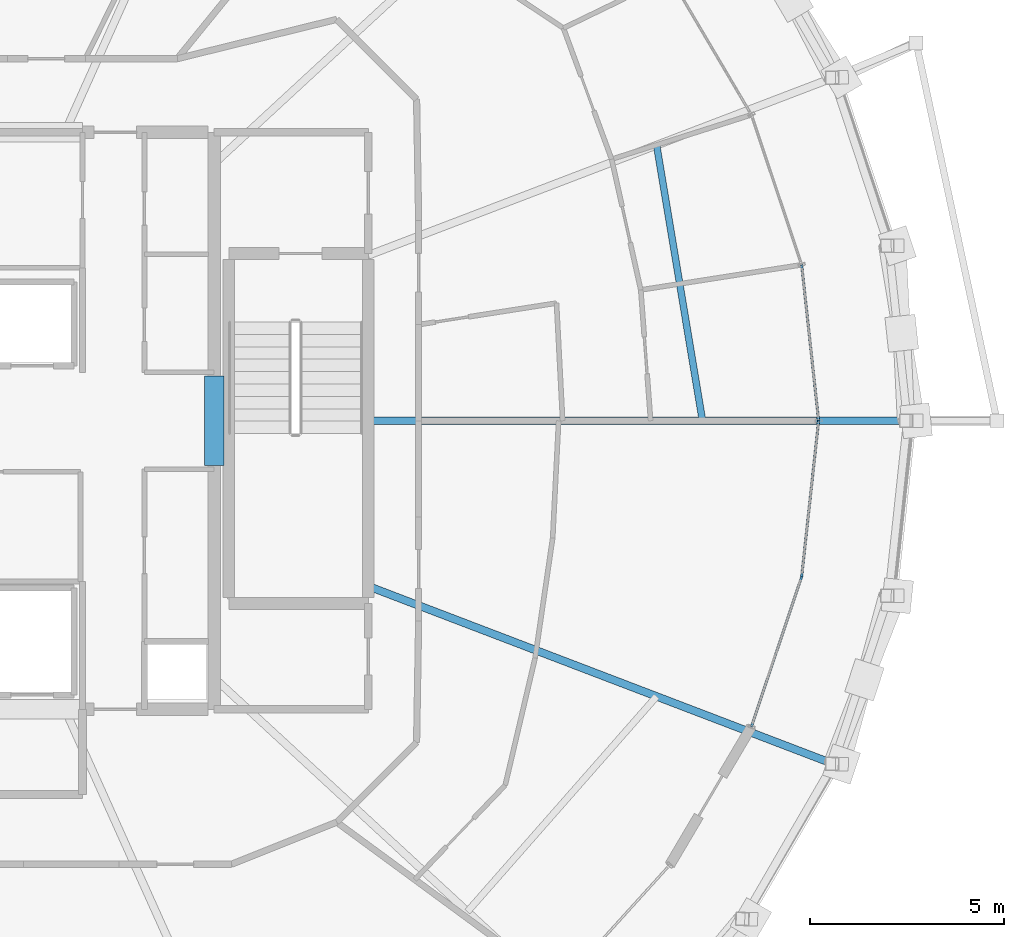
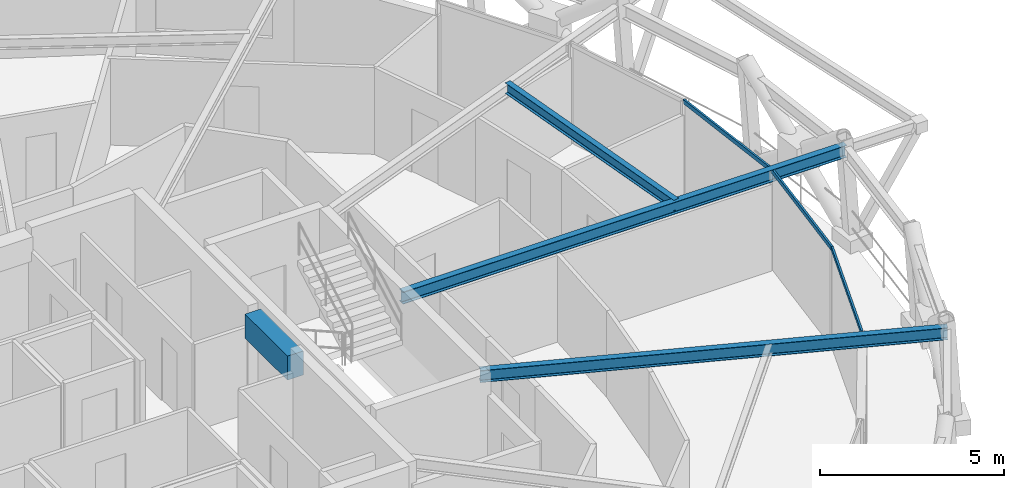
# One storey, part 7 of 18: 4 beams, 3 members, 1 element without a shape of its own.
"""IFC4 building model written with IfcOpenShell, lengths in metres."""

import ifcopenshell
import ifcopenshell.guid

model = None  # the IFC model being written
_history = None  # IfcOwnerHistory: only IFC2X3 demands one
_inside = {}  # id of a spatial element -> (the spatial element, [elements in it])
_under = {}  # id of a project, library or spatial element -> (it, [spatial elements below it])
_declared = {}  # id of a project -> (the project, [libraries it declares])
_typed = {}  # id of a type object -> (the type object, [elements of that type])
_made_of = {}  # id of a material, layer set ... -> (it, [elements and type objects made of it])


def new_model(schema):
    """Start an empty IFC model of exactly this schema.

    Asked for "IFC4X3", IfcOpenShell would pick the latest addendum, in which some entities
    have other attributes; the version numbers below select the first issue.
    IFC2X3 requires an IfcOwnerHistory on every rooted entity: one is made here for all.
    """
    global model, _history
    if schema == "IFC4X3":
        model = ifcopenshell.file(schema_version=(4, 3, 0, 0))
    else:
        model = ifcopenshell.file(schema=schema)
    _inside.clear()
    _under.clear()
    _declared.clear()
    _typed.clear()
    _made_of.clear()
    _history = None
    if model.schema == "IFC2X3":
        org = make("IfcOrganization", Name="unknown")
        user = make(
            "IfcPersonAndOrganization",
            ThePerson=make("IfcPerson", FamilyName="unknown"),
            TheOrganization=org,
        )
        app = make(
            "IfcApplication",
            ApplicationDeveloper=org,
            Version="unknown",
            ApplicationFullName="unknown",
            ApplicationIdentifier="unknown",
        )
        _history = make(
            "IfcOwnerHistory",
            OwningUser=user,
            OwningApplication=app,
            ChangeAction="ADDED",
            CreationDate=0,
        )
    return model


def make(cls, **values):
    """One entity of the class cls with the attributes given. An attribute that is None is left unset."""
    return model.create_entity(
        cls, **{name: value for name, value in values.items() if value is not None}
    )


def rooted(cls, **values):
    """An entity with a GlobalId (a new one), such as an element, a storey or a relation."""
    return make(cls, GlobalId=ifcopenshell.guid.new(), OwnerHistory=_history, **values)


def si_unit(unit_type, name, prefix=None):
    """IfcSIUnit, for example si_unit("LENGTHUNIT", "METRE", prefix="MILLI")."""
    return make("IfcSIUnit", UnitType=unit_type, Prefix=prefix, Name=name)


def assignment(units):
    """IfcUnitAssignment: the units of a project."""
    return None if units is None else make("IfcUnitAssignment", Units=units)


def point(xyz):
    """IfcCartesianPoint."""
    return None if xyz is None else make("IfcCartesianPoint", Coordinates=xyz)


def direction(xyz):
    """IfcDirection."""
    return None if xyz is None else make("IfcDirection", DirectionRatios=xyz)


def frame(location, z_axis=None, x_axis=None):
    """IfcAxis2Placement3D, a coordinate frame: its origin and axes. An axis left out is left unset."""
    return make(
        "IfcAxis2Placement3D",
        Location=point(location),
        Axis=direction(z_axis),
        RefDirection=direction(x_axis),
    )


def frame_2d(location, x_axis=None):
    """IfcAxis2Placement2D, a coordinate frame in the plane: its origin and x axis."""
    return make(
        "IfcAxis2Placement2D", Location=point(location), RefDirection=direction(x_axis)
    )


def origin():
    """The frame at (0, 0, 0) with its axes left unset."""
    return frame((0.0, 0.0, 0.0))


def origin_2d():
    """The frame at (0, 0) in the plane with its x axis left unset."""
    return frame_2d((0.0, 0.0))


def place(relative_to, where):
    """IfcLocalPlacement: puts the frame where relative to a parent placement (None: the world)."""
    return make(
        "IfcLocalPlacement", PlacementRelTo=relative_to, RelativePlacement=where
    )


def context(
    kind, dimensions, precision=None, world=None, true_north=None, identifier=None
):
    """IfcGeometricRepresentationContext, for example the 3D "Model" context."""
    return make(
        "IfcGeometricRepresentationContext",
        ContextIdentifier=identifier,
        ContextType=kind,
        CoordinateSpaceDimension=dimensions,
        Precision=precision,
        WorldCoordinateSystem=world,
        TrueNorth=true_north,
    )


def subcontext(parent, identifier, kind, view, scale=None):
    """IfcGeometricRepresentationSubContext, for example "Body" below "Model"."""
    return make(
        "IfcGeometricRepresentationSubContext",
        ContextIdentifier=identifier,
        ContextType=kind,
        ParentContext=parent,
        TargetScale=scale,
        TargetView=view,
    )


def project(units=None, contexts=None):
    """IfcProject with its units and contexts."""
    return rooted(
        "IfcProject",
        Name="project",
        RepresentationContexts=contexts,
        UnitsInContext=assignment(units),
    )


def spatial(cls, under=None, at=None, **own):
    """A site, building, storey or space (cls), placed at a placement, below another one or the project."""
    s = rooted(cls, ObjectPlacement=at, **own)
    if under is not None:
        _under.setdefault(under.id(), (under, []))[1].append(s)
    return s


def profile(cls, at=None, kind="AREA", **sizes):
    """A parametric profile (cls). Its sizes go by their IFC names, for example OverallWidth=200.0."""
    return make(cls, ProfileType=kind, Position=at, **sizes)


def rectangle(**sizes):
    """IfcRectangleProfileDef."""
    return profile("IfcRectangleProfileDef", **sizes)


def hollow_rectangle(**sizes):
    """IfcRectangleHollowProfileDef."""
    return profile("IfcRectangleHollowProfileDef", **sizes)


def i_section(**sizes):
    """IfcIShapeProfileDef."""
    return profile("IfcIShapeProfileDef", **sizes)


def extrude(swept, where, along, depth):
    """IfcExtrudedAreaSolid: the profile swept, set in the frame where, extruded along a direction by depth."""
    return make(
        "IfcExtrudedAreaSolid",
        SweptArea=swept,
        Position=where,
        ExtrudedDirection=direction(along),
        Depth=depth,
    )


def shape(context_of_items, identifier, shape_type, items):
    """IfcShapeRepresentation: the items that make up one representation, for example the "Body"."""
    return make(
        "IfcShapeRepresentation",
        ContextOfItems=context_of_items,
        RepresentationIdentifier=identifier,
        RepresentationType=shape_type,
        Items=items,
    )


def material(Name=None, Category=None):
    """IfcMaterial."""
    return make("IfcMaterial", Name=Name, Category=Category)


def layer(
    of_material, thickness, ventilated=None, Name=None, Category=None, Priority=None
):
    """IfcMaterialLayer: one layer of a wall or slab, of a material (None: an air gap)."""
    return make(
        "IfcMaterialLayer",
        Material=of_material,
        LayerThickness=thickness,
        IsVentilated=ventilated,
        Name=Name,
        Category=Category,
        Priority=Priority,
    )


def layer_set(layers, Name=None):
    """IfcMaterialLayerSet."""
    return make("IfcMaterialLayerSet", MaterialLayers=layers, LayerSetName=Name)


def material_profile(
    of_material, cross_section, Name=None, Category=None, Priority=None
):
    """IfcMaterialProfile: a cross section and its material."""
    return make(
        "IfcMaterialProfile",
        Name=Name,
        Material=of_material,
        Profile=cross_section,
        Priority=Priority,
        Category=Category,
    )


def profile_set(profiles, Name=None, composite=None):
    """IfcMaterialProfileSet."""
    return make(
        "IfcMaterialProfileSet",
        Name=Name,
        MaterialProfiles=profiles,
        CompositeProfile=composite,
    )


def made_of(thing, what):
    """Note that an element or type object is made of a material, layer set ...; save() writes the relation."""
    if what is not None:
        _made_of.setdefault(what.id(), (what, []))[1].append(thing)
    return thing


def type_object(cls, material=None, **own):
    """A type object (cls), such as IfcWallType, which elements share."""
    return made_of(rooted(cls, **own), material)


def element(
    cls,
    number,
    at=None,
    inside=None,
    cuts=None,
    type_object=None,
    material=None,
    context=None,
    identifier="Body",
    shape_type=None,
    held_by="IfcProductDefinitionShape",
    body=None,
    shapes=None,
    **own,
):
    """One element of the class cls, such as IfcWall. Its Tag is "e" and its number.

    at: its placement. inside: the storey or other place that contains it. cuts: it is an
    opening in that element (IfcRelVoidsElement). A single representation is given by context,
    identifier, shape_type and body (its items); several are given by shapes. held_by: the class
    of the entity that holds the representations. save() writes the other relations.
    """
    e = rooted(cls, Tag="e%d" % number, ObjectPlacement=at, **own)
    if body is not None:
        shapes = [shape(context, identifier, shape_type, body)]
    if shapes is not None:
        e.Representation = make(held_by, Representations=shapes)
    if inside is not None:
        _inside.setdefault(inside.id(), (inside, []))[1].append(e)
    if cuts is not None:
        rooted(
            "IfcRelVoidsElement", RelatingBuildingElement=cuts, RelatedOpeningElement=e
        )
    if type_object is not None:
        _typed.setdefault(type_object.id(), (type_object, []))[1].append(e)
    return made_of(e, material)


def aggregate(whole, parts):
    """IfcRelAggregates: a whole, such as a stair, and the parts it consists of."""
    return rooted("IfcRelAggregates", RelatingObject=whole, RelatedObjects=parts)


def save(model, path):
    """Write the relations noted so far, then the file.

    IfcRelAggregates (storeys below a building ...), IfcRelContainedInSpatialStructure (elements
    in a storey), IfcRelDefinesByType, IfcRelAssociatesMaterial and IfcRelDeclares: one each for
    every whole, place, type object, material and project.
    """
    for whole, parts in _under.values():
        aggregate(whole, parts)
    for where, things in _inside.values():
        rooted(
            "IfcRelContainedInSpatialStructure",
            RelatedElements=things,
            RelatingStructure=where,
        )
    for kind, things in _typed.values():
        rooted("IfcRelDefinesByType", RelatedObjects=things, RelatingType=kind)
    for what, things in _made_of.values():
        rooted("IfcRelAssociatesMaterial", RelatedObjects=things, RelatingMaterial=what)
    for by, libraries in _declared.values():
        rooted("IfcRelDeclares", RelatingContext=by, RelatedDefinitions=libraries)
    model.write(path)


model = new_model("IFC4")

# Units and contexts
model_context = context("Model", 3, precision=1e-05, world=origin(), true_north=direction((0.0, 1.0)))
body_context = subcontext(model_context, "Body", "Model", "MODEL_VIEW")
ifc_project = project(units=[si_unit("LENGTHUNIT", "METRE"), si_unit("AREAUNIT", "SQUARE_METRE"), si_unit("VOLUMEUNIT", "CUBIC_METRE"), si_unit("PLANEANGLEUNIT", "RADIAN"), si_unit("MASSUNIT", "GRAM", prefix="KILO")], contexts=[model_context])

# Site, building, storey
site_placement = place(None, origin())
site = spatial("IfcSite", under=ifc_project, at=site_placement, CompositionType="ELEMENT")
building_placement = place(site_placement, origin())
building = spatial("IfcBuilding", under=site, at=building_placement, Name="Veldorina Hangang Commons", CompositionType="ELEMENT")
storey_placement = place(building_placement, frame((0.0, 0.0, 218.39990234375)))
storey = spatial("IfcBuildingStorey", under=building, at=storey_placement, Name="L56", CompositionType="ELEMENT", Elevation=218.39990234375)

# Beams
ifc_material_1 = material(Name="Concrete C50/60", Category="concrete")
ifc_material_profile_1 = material_profile(ifc_material_1, rectangle(XDim=0.5, YDim=0.800048828125, at=origin_2d()), Name="RC-CB-500x800")
ifc_profile_set_1 = profile_set([ifc_material_profile_1], Name="Concrete C50/60")
beam_type_1 = type_object("IfcBeamType", Name="BM-CB800", PredefinedType="LINTEL", material=ifc_profile_set_1)
beam_1_placement = place(storey_placement, frame((39.199951171875, 22.85009765625, 2.960205078125), z_axis=(0.0, 1.0, 0.0), x_axis=(-1.0, 0.0, 0.0)))
element("IfcBeam", 1, at=beam_1_placement, inside=storey, type_object=beam_type_1, Name="L56 E core coupling lintel beam", PredefinedType="LINTEL", context=body_context, shape_type="SweptSolid", body=[
    extrude(rectangle(XDim=0.5, YDim=0.800048828125, at=origin_2d()), origin(), (0.0, 0.0, 1.0), 2.2998046875),
])
ifc_material_2 = material(Name="Steel SM355-TMC", Category="steel")
ifc_material_profile_2 = material_profile(ifc_material_2, i_section(OverallWidth=0.199951171875, OverallDepth=0.39990234375, WebThickness=0.008056640625, FlangeThickness=0.012939453125, FilletRadius=0.012939453125, at=origin_2d()), Name="H-400x200x8x13")
ifc_profile_set_2 = profile_set([ifc_material_profile_2], Name="Steel SM355-TMC")
beam_type_2 = type_object("IfcBeamType", Name="BM-FG400", PredefinedType="BEAM", material=ifc_profile_set_2)
beam_2_placement = place(storey_placement, frame((43.179931640625, 24.0, 3.16015625), z_axis=(1.0, 0.0, 0.0), x_axis=(0.0, 1.0, 0.0)))
element("IfcBeam", 2, at=beam_2_placement, inside=storey, type_object=beam_type_2, Name="L56 radial floor girder 01", PredefinedType="BEAM", context=body_context, shape_type="SweptSolid", body=[
    extrude(i_section(OverallWidth=0.199951171875, OverallDepth=0.39990234375, WebThickness=0.008056640625, FlangeThickness=0.012939453125, FilletRadius=0.012939453125, at=origin_2d()), origin(), (0.0, 0.0, 1.0), 13.919677734375),
])
beam_3_placement = place(storey_placement, frame((43.179931640625, 19.727783203125, 3.16015625), z_axis=(0.934118707668, -0.356962519019, 0.0), x_axis=(0.356962519019, 0.934118707668, 0.0)))
element("IfcBeam", 3, at=beam_3_placement, inside=storey, type_object=beam_type_2, Name="L56 radial floor girder 16", PredefinedType="BEAM", context=body_context, shape_type="SweptSolid", body=[
    extrude(i_section(OverallWidth=0.199951171875, OverallDepth=0.39990234375, WebThickness=0.008056640625, FlangeThickness=0.012939453125, FilletRadius=0.012939453125, at=origin_2d()), origin(), (0.0, 0.0, 1.0), 12.85595703125),
])
ifc_material_profile_3 = material_profile(ifc_material_2, i_section(OverallWidth=0.175048828125, OverallDepth=0.35009765625, WebThickness=0.007080078125, FlangeThickness=0.010986328125, FilletRadius=0.012939453125, at=origin_2d()), Name="H-350x175x7x11")
ifc_profile_set_3 = profile_set([ifc_material_profile_3], Name="Steel SM355-TMC")
beam_type_3 = type_object("IfcBeamType", Name="BM-JST350", PredefinedType="JOIST", material=ifc_profile_set_3)
beam_4_placement = place(storey_placement, frame((51.81005859375, 24.0, 3.18505859375), z_axis=(-0.164174016963, 0.986431392523, 0.0), x_axis=(-0.986431392523, -0.164174016963, 0.0)))
element("IfcBeam", 4, at=beam_4_placement, inside=storey, type_object=beam_type_3, Name="L56 secondary floor joist 01", PredefinedType="JOIST", context=body_context, shape_type="SweptSolid", body=[
    extrude(i_section(OverallWidth=0.175048828125, OverallDepth=0.35009765625, WebThickness=0.007080078125, FlangeThickness=0.010986328125, FilletRadius=0.012939453125, at=origin_2d()), origin(), (0.0, 0.0, 1.0), 7.21533203125),
])

# Curtain wall, members
ifc_material_3 = material(Name="Glass Low-E Selective", Category="glass")
ifc_layer = layer(ifc_material_3, 0.179931640625)
ifc_layer_set = layer_set([ifc_layer], Name="Glass Low-E Selective")
curtain_wall_type = type_object("IfcCurtainWallType", Name="CW-SYS-Z3", PredefinedType="NOTDEFINED", material=ifc_layer_set)
curtain_wall_placement = place(storey_placement, origin())
curtain_wall = element("IfcCurtainWall", 5, at=curtain_wall_placement, inside=storey, type_object=curtain_wall_type, Name="L56 unitised curtain wall CW-L56-R2", PredefinedType="NOTDEFINED")
ifc_material_4 = material(Name="Aluminium Anodized AA6063-T6", Category="aluminium")
ifc_material_profile_4 = material_profile(ifc_material_4, hollow_rectangle(XDim=0.06005859375, YDim=0.139892578125, WallThickness=0.00341796875, at=origin_2d()), Name="ALU-RHS-140x60x3.5")
ifc_profile_set_4 = profile_set([ifc_material_profile_4], Name="Aluminium Anodized AA6063-T6")
member_type = type_object("IfcMemberType", Name="CW-TRN-140", PredefinedType="USERDEFINED", material=ifc_profile_set_4)
member_1_placement = place(storey_placement, frame((53.072509765625, 16.098876953125, 3.280029296875), z_axis=(0.317733553611, 0.948180040346, 0.0), x_axis=(-0.948180040346, 0.317733553611, 0.0)))
member_1 = element("IfcMember", 6, at=member_1_placement, type_object=member_type, Name="CW-L56-R2 facet 1 transom 1", ObjectType="TRANSOM", PredefinedType="USERDEFINED", context=body_context, shape_type="SweptSolid", body=[
    extrude(hollow_rectangle(XDim=0.06005859375, YDim=0.139892578125, WallThickness=0.00341796875, at=origin_2d()), origin(), (0.0, 0.0, 1.0), 4.084716796875),
])
member_2_placement = place(storey_placement, frame((54.370361328125, 19.971923828125, 3.280029296875), z_axis=(0.108156273649, 0.994133904698, 0.0), x_axis=(-0.994133904698, 0.108156273649, 0.0)))
member_2 = element("IfcMember", 7, at=member_2_placement, type_object=member_type, Name="CW-L56-R2 facet 2 transom 1", ObjectType="TRANSOM", PredefinedType="USERDEFINED", context=body_context, shape_type="SweptSolid", body=[
    extrude(hollow_rectangle(XDim=0.06005859375, YDim=0.139892578125, WallThickness=0.00341796875, at=origin_2d()), origin(), (0.0, 0.0, 1.0), 4.0517578125),
])
member_3_placement = place(storey_placement, frame((54.80859375, 24.0, 3.280029296875), z_axis=(-0.108156273649, 0.994133904698, 0.0), x_axis=(-0.994133904698, -0.108156273649, 0.0)))
member_3 = element("IfcMember", 8, at=member_3_placement, type_object=member_type, Name="CW-L56-R2 facet 3 transom 1", ObjectType="TRANSOM", PredefinedType="USERDEFINED", context=body_context, shape_type="SweptSolid", body=[
    extrude(hollow_rectangle(XDim=0.06005859375, YDim=0.139892578125, WallThickness=0.00341796875, at=origin_2d()), origin(), (0.0, 0.0, 1.0), 4.0517578125),
])
aggregate(curtain_wall, [member_1, member_2, member_3])

save(model, "model.ifc")
